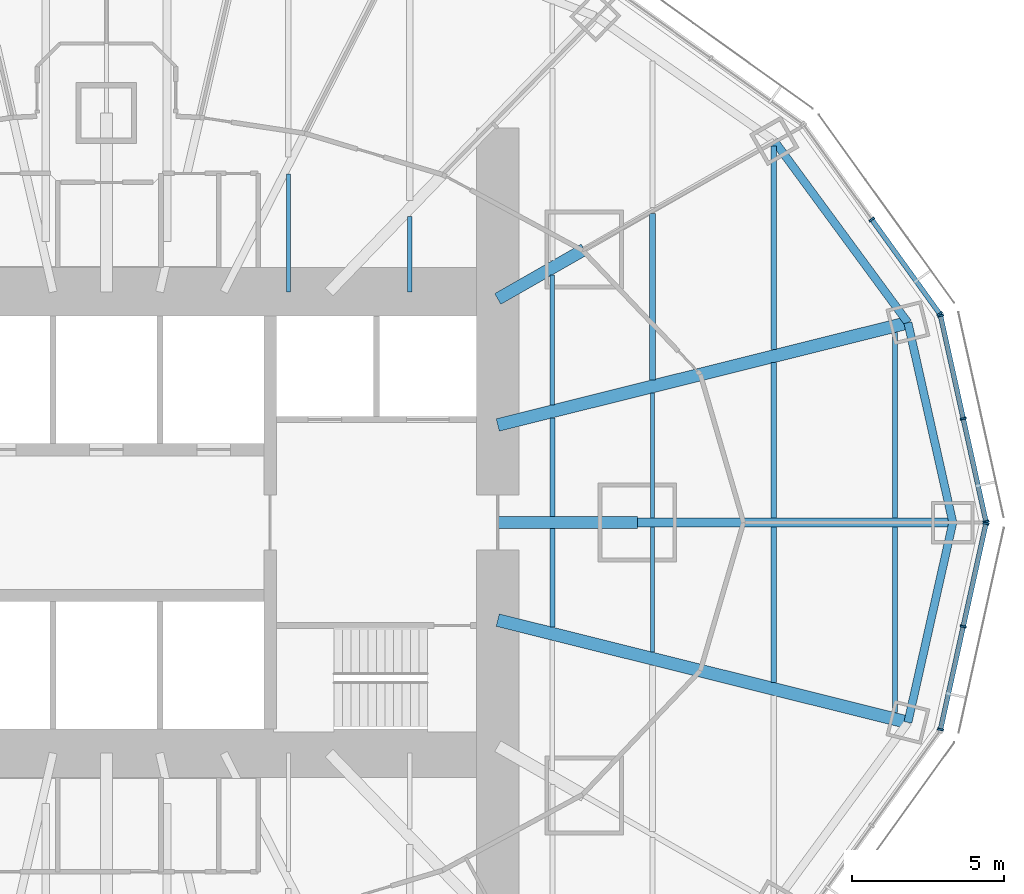
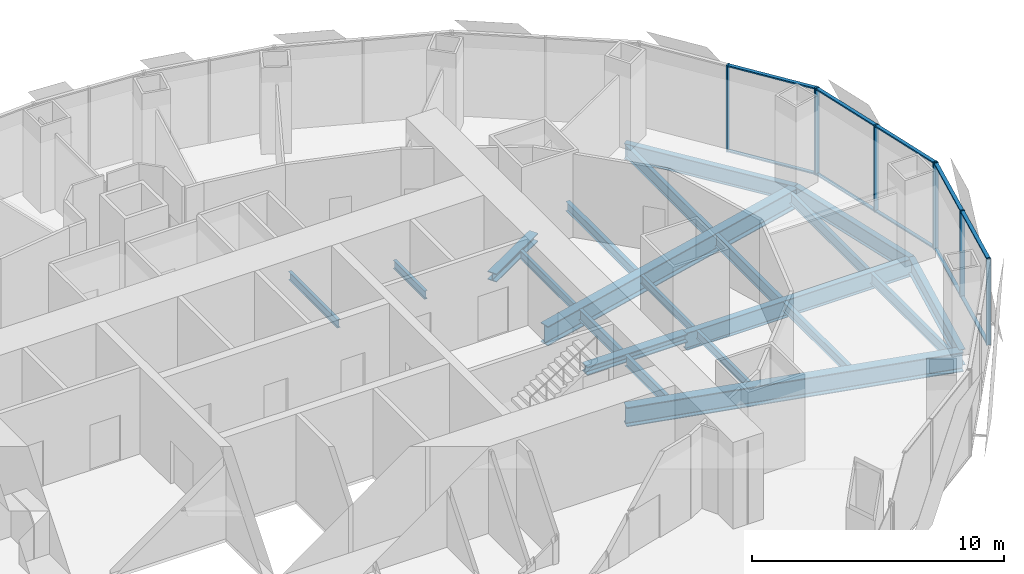
# One storey, part 6 of 18: 21 beams, 18 members, 3 elements without a shape of their own.
"""IFC4 building model written with IfcOpenShell, lengths in metres."""

from ifc_helpers import new_model, si_unit, direction, frame, origin, origin_2d, place, context, subcontext, project, spatial, rectangle, i_section, extrude, material, material_profile, profile_set, type_object, element, aggregate, save


model = new_model("IFC4")

# Units and contexts
model_context = context("Model", 3, precision=1e-05, world=origin(), true_north=direction((0.0, 1.0)))
body_context = subcontext(model_context, "Body", "Model", "MODEL_VIEW")
ifc_project = project(units=[si_unit("LENGTHUNIT", "METRE"), si_unit("AREAUNIT", "SQUARE_METRE"), si_unit("VOLUMEUNIT", "CUBIC_METRE"), si_unit("PLANEANGLEUNIT", "RADIAN"), si_unit("MASSUNIT", "GRAM", prefix="KILO")], contexts=[model_context])

# Site, building, storey
site_placement = place(None, origin())
site = spatial("IfcSite", under=ifc_project, at=site_placement, CompositionType="ELEMENT")
building_placement = place(site_placement, origin())
building = spatial("IfcBuilding", under=site, at=building_placement, Name="Lantaw Convention Tower", CompositionType="ELEMENT")
storey_placement = place(building_placement, frame((0.0, 0.0, 180.39990234375)))
storey = spatial("IfcBuildingStorey", under=building, at=storey_placement, Name="L42", CompositionType="ELEMENT", Elevation=180.39990234375)

# Beams
ifc_material_1 = material(Name="Steel ASTM A992", Category="steel")
ifc_material_profile_1 = material_profile(ifc_material_1, i_section(OverallWidth=0.2666015625, OverallDepth=0.76953125, WebThickness=0.015625, FlangeThickness=0.025390625, FilletRadius=0.0126953125, at=origin_2d()), Name="W30X132")
ifc_profile_set_1 = profile_set([ifc_material_profile_1], Name="Steel ASTM A992")
beam_type_1 = type_object("IfcBeamType", Name="Beam E W30X132", PredefinedType="SPANDREL", material=ifc_profile_set_1)
beam_1_placement = place(storey_placement, frame((27.89990234375, 0.0, -0.53466796875), z_axis=(-0.219211877447, 0.975677279015, 0.0), x_axis=(-0.975677279015, -0.219211877447, 0.0)))
element("IfcBeam", 1, at=beam_1_placement, inside=storey, type_object=beam_type_1, Name="Edge beam 1", PredefinedType="SPANDREL", context=body_context, shape_type="SweptSolid", body=[
    extrude(i_section(OverallWidth=0.2666015625, OverallDepth=0.76953125, WebThickness=0.015625, FlangeThickness=0.025390625, FilletRadius=0.0126953125, at=origin_2d()), origin(), (0.0, 0.0, 1.0), 6.75146484375),
])
beam_2_placement = place(storey_placement, frame((26.419921875, 6.587158203125, -0.53466796875), z_axis=(-0.5923891972, 0.805651934176, 0.0), x_axis=(-0.805651934176, -0.5923891972, 0.0)))
element("IfcBeam", 2, at=beam_2_placement, inside=storey, type_object=beam_type_1, Name="Edge beam 2", PredefinedType="SPANDREL", context=body_context, shape_type="SweptSolid", body=[
    extrude(i_section(OverallWidth=0.2666015625, OverallDepth=0.76953125, WebThickness=0.015625, FlangeThickness=0.025390625, FilletRadius=0.0126953125, at=origin_2d()), origin(), (0.0, 0.0, 1.0), 7.437744140625),
])
beam_3_placement = place(storey_placement, frame((26.419921875, -6.587158203125, -0.53466796875), z_axis=(0.219211877447, 0.975677279015, 0.0), x_axis=(-0.975677279015, 0.219211877447, 0.0)))
element("IfcBeam", 3, at=beam_3_placement, inside=storey, type_object=beam_type_1, Name="Edge beam 24", PredefinedType="SPANDREL", context=body_context, shape_type="SweptSolid", body=[
    extrude(i_section(OverallWidth=0.2666015625, OverallDepth=0.76953125, WebThickness=0.015625, FlangeThickness=0.025390625, FilletRadius=0.0126953125, at=origin_2d()), origin(), (0.0, 0.0, 1.0), 6.75146484375),
])
ifc_material_profile_2 = material_profile(ifc_material_1, i_section(OverallWidth=0.2919921875, OverallDepth=0.845703125, WebThickness=0.015380859375, FlangeThickness=0.0244140625, FilletRadius=0.01513671875, at=origin_2d()), Name="W33X141")
ifc_profile_set_2 = profile_set([ifc_material_profile_2], Name="Steel ASTM A992")
beam_type_2 = type_object("IfcBeamType", Name="Beam G W33X141", PredefinedType="BEAM", material=ifc_profile_set_2)
beam_4_placement = place(storey_placement, frame((17.5, 0.0, -0.57275390625), z_axis=(1.0, 0.0, 0.0), x_axis=(0.0, 1.0, 0.0)))
element("IfcBeam", 4, at=beam_4_placement, inside=storey, type_object=beam_type_2, Name="Floor girder on ray 1", PredefinedType="BEAM", context=body_context, shape_type="SweptSolid", body=[
    extrude(i_section(OverallWidth=0.2919921875, OverallDepth=0.845703125, WebThickness=0.015380859375, FlangeThickness=0.0244140625, FilletRadius=0.01513671875, at=origin_2d()), origin(), (0.0, 0.0, 1.0), 10.39990234375),
])
ifc_material_profile_3 = material_profile(ifc_material_1, i_section(OverallWidth=0.421630859375, OverallDepth=0.937255859375, WebThickness=0.0224609375, FlangeThickness=0.039794921875, FilletRadius=0.02001953125, at=origin_2d()), Name="W36X282")
ifc_profile_set_3 = profile_set([ifc_material_profile_3], Name="Steel ASTM A992")
beam_type_3 = type_object("IfcBeamType", Name="Beam G W36X282", PredefinedType="BEAM", material=ifc_profile_set_3)
for number, where, z_axis, x_axis, name in (
    (5, (12.89990234375, 3.21630859375, -0.61865234375), (0.970296903132, 0.24191717544, 0.0), (-0.24191717544, 0.970296903132, 0.0), "Floor girder on ray 2"),
    (6, (12.89990234375, -3.21630859375, -0.61865234375), (0.970296903132, -0.24191717544, 0.0), (0.24191717544, 0.970296903132, 0.0), "Floor girder on ray 24"),
):
    element("IfcBeam", number, at=place(storey_placement, frame(where, z_axis=z_axis, x_axis=x_axis)), inside=storey, type_object=beam_type_3, Name=name, PredefinedType="BEAM", context=body_context, shape_type="SweptSolid", body=[
        extrude(i_section(OverallWidth=0.421630859375, OverallDepth=0.937255859375, WebThickness=0.0224609375, FlangeThickness=0.039794921875, FilletRadius=0.02001953125, at=origin_2d()), origin(), (0.0, 0.0, 1.0), 13.933837890625),
    ])
ifc_material_profile_4 = material_profile(ifc_material_1, i_section(OverallWidth=0.40380859375, OverallDepth=0.406494140625, WebThickness=0.027099609375, FlangeThickness=0.043701171875, FilletRadius=0.01513671875, at=origin_2d()), Name="W14X233")
ifc_profile_set_4 = profile_set([ifc_material_profile_4], Name="Steel ASTM A992")
beam_type_4 = type_object("IfcBeamType", Name="Beam GM W14X233", PredefinedType="BEAM", material=ifc_profile_set_4)
beam_5_placement = place(storey_placement, frame((12.89990234375, 0.0, -0.35302734375), z_axis=(1.0, 0.0, 0.0), x_axis=(0.0, 1.0, 0.0)))
element("IfcBeam", 7, at=beam_5_placement, inside=storey, type_object=beam_type_4, Name="Core link beam on ray 1", PredefinedType="BEAM", context=body_context, shape_type="SweptSolid", body=[
    extrude(i_section(OverallWidth=0.40380859375, OverallDepth=0.406494140625, WebThickness=0.027099609375, FlangeThickness=0.043701171875, FilletRadius=0.01513671875, at=origin_2d()), origin(), (0.0, 0.0, 1.0), 4.60009765625),
])
beam_6_placement = place(storey_placement, frame((12.89990234375, 7.371337890625, -0.35302734375), z_axis=(0.868238565244, 0.496146947811, 0.0), x_axis=(-0.496146947811, 0.868238565244, 0.0)))
element("IfcBeam", 8, at=beam_6_placement, inside=storey, type_object=beam_type_4, Name="Core link beam on ray 3", PredefinedType="BEAM", context=body_context, shape_type="SweptSolid", body=[
    extrude(i_section(OverallWidth=0.40380859375, OverallDepth=0.406494140625, WebThickness=0.027099609375, FlangeThickness=0.043701171875, FilletRadius=0.01513671875, at=origin_2d()), origin(), (0.0, 0.0, 1.0), 3.28271484375),
])
ifc_material_profile_5 = material_profile(ifc_material_1, i_section(OverallWidth=0.140380859375, OverallDepth=0.40380859375, WebThickness=0.007080078125, FlangeThickness=0.01123046875, FilletRadius=0.01025390625, at=origin_2d()), Name="W16X31")
ifc_profile_set_5 = profile_set([ifc_material_profile_5], Name="Steel ASTM A992")
beam_type_5 = type_object("IfcBeamType", Name="Beam J W16X31", PredefinedType="JOIST", material=ifc_profile_set_5)
beam_7_placement = place(storey_placement, frame((6.0, 7.60009765625, -0.351806640625), z_axis=(0.0, 1.0, 0.0), x_axis=(-1.0, 0.0, 0.0)))
element("IfcBeam", 9, at=beam_7_placement, inside=storey, type_object=beam_type_5, Name="Floor joist", PredefinedType="JOIST", context=body_context, shape_type="SweptSolid", body=[
    extrude(i_section(OverallWidth=0.140380859375, OverallDepth=0.40380859375, WebThickness=0.007080078125, FlangeThickness=0.01123046875, FilletRadius=0.01025390625, at=origin_2d()), origin(), (0.0, 0.0, 1.0), 3.895751953125),
])
beam_8_placement = place(storey_placement, frame((10.0, 7.60009765625, -0.351806640625), z_axis=(0.0, 1.0, 0.0), x_axis=(-1.0, 0.0, 0.0)))
element("IfcBeam", 10, at=beam_8_placement, inside=storey, type_object=beam_type_5, Name="Floor joist", PredefinedType="JOIST", context=body_context, shape_type="SweptSolid", body=[
    extrude(i_section(OverallWidth=0.140380859375, OverallDepth=0.40380859375, WebThickness=0.007080078125, FlangeThickness=0.01123046875, FilletRadius=0.01025390625, at=origin_2d()), origin(), (0.0, 0.0, 1.0), 2.49560546875),
])
beam_9_placement = place(storey_placement, frame((14.699951171875, 3.88232421875, -0.351806640625), z_axis=(0.0, 1.0, 0.0), x_axis=(-1.0, 0.0, 0.0)))
element("IfcBeam", 11, at=beam_9_placement, inside=storey, type_object=beam_type_5, Name="Floor joist", PredefinedType="JOIST", context=body_context, shape_type="SweptSolid", body=[
    extrude(i_section(OverallWidth=0.140380859375, OverallDepth=0.40380859375, WebThickness=0.007080078125, FlangeThickness=0.01123046875, FilletRadius=0.01025390625, at=origin_2d()), origin(), (0.0, 0.0, 1.0), 4.28515625),
])
for number, where, z_axis, x_axis, name in (
    (12, (18.0, -4.270751953125, -0.351806640625), (0.0, 1.0, 0.0), (-1.0, 0.0, 0.0), "Floor joist"),
    (13, (18.0, 0.14599609375, -0.351806640625), (0.0, 1.0, 0.0), (-1.0, 0.0, 0.0), "Floor joist"),
):
    element("IfcBeam", number, at=place(storey_placement, frame(where, z_axis=z_axis, x_axis=x_axis)), inside=storey, type_object=beam_type_5, Name=name, PredefinedType="JOIST", context=body_context, shape_type="SweptSolid", body=[
        extrude(i_section(OverallWidth=0.140380859375, OverallDepth=0.40380859375, WebThickness=0.007080078125, FlangeThickness=0.01123046875, FilletRadius=0.01025390625, at=origin_2d()), origin(), (0.0, 0.0, 1.0), 4.124755859375),
    ])
ifc_material_profile_6 = material_profile(ifc_material_1, i_section(OverallWidth=0.1904296875, OverallDepth=0.457275390625, WebThickness=0.009033203125, FlangeThickness=0.014404296875, FilletRadius=0.01025390625, at=origin_2d()), Name="W18X50")
ifc_profile_set_6 = profile_set([ifc_material_profile_6], Name="Steel ASTM A992")
beam_type_6 = type_object("IfcBeamType", Name="Beam J W18X50", PredefinedType="JOIST", material=ifc_profile_set_6)
beam_10_placement = place(storey_placement, frame((18.0, 4.705078125, -0.37841796875), z_axis=(0.0, 1.0, 0.0), x_axis=(-1.0, 0.0, 0.0)))
element("IfcBeam", 14, at=beam_10_placement, inside=storey, type_object=beam_type_6, Name="Floor joist", PredefinedType="JOIST", context=body_context, shape_type="SweptSolid", body=[
    extrude(i_section(OverallWidth=0.1904296875, OverallDepth=0.457275390625, WebThickness=0.009033203125, FlangeThickness=0.014404296875, FilletRadius=0.01025390625, at=origin_2d()), origin(), (0.0, 0.0, 1.0), 5.47802734375),
])
beam_11_placement = place(storey_placement, frame((22.0, -5.267822265625, -0.37841796875), z_axis=(0.0, 1.0, 0.0), x_axis=(-1.0, 0.0, 0.0)))
element("IfcBeam", 15, at=beam_11_placement, inside=storey, type_object=beam_type_6, Name="Floor joist", PredefinedType="JOIST", context=body_context, shape_type="SweptSolid", body=[
    extrude(i_section(OverallWidth=0.1904296875, OverallDepth=0.457275390625, WebThickness=0.009033203125, FlangeThickness=0.014404296875, FilletRadius=0.01025390625, at=origin_2d()), origin(), (0.0, 0.0, 1.0), 5.121826171875),
])
ifc_material_profile_7 = material_profile(ifc_material_1, i_section(OverallWidth=0.1650390625, OverallDepth=0.52587890625, WebThickness=0.0087890625, FlangeThickness=0.011474609375, FilletRadius=0.0126953125, at=origin_2d()), Name="W21X44")
ifc_profile_set_7 = profile_set([ifc_material_profile_7], Name="Steel ASTM A992")
beam_type_7 = type_object("IfcBeamType", Name="Beam J W21X44", PredefinedType="JOIST", material=ifc_profile_set_7)
for number, where, z_axis, x_axis, name in (
    (16, (26.0, -6.26513671875, -0.412841796875), (0.0, 1.0, 0.0), (-1.0, 0.0, 0.0), "Floor joist"),
    (17, (26.0, 0.14599609375, -0.412841796875), (0.0, 1.0, 0.0), (-1.0, 0.0, 0.0), "Floor joist"),
):
    element("IfcBeam", number, at=place(storey_placement, frame(where, z_axis=z_axis, x_axis=x_axis)), inside=storey, type_object=beam_type_7, Name=name, PredefinedType="JOIST", context=body_context, shape_type="SweptSolid", body=[
        extrude(i_section(OverallWidth=0.1650390625, OverallDepth=0.52587890625, WebThickness=0.0087890625, FlangeThickness=0.011474609375, FilletRadius=0.0126953125, at=origin_2d()), origin(), (0.0, 0.0, 1.0), 6.119140625),
    ])
ifc_material_profile_8 = material_profile(ifc_material_1, i_section(OverallWidth=0.165771484375, OverallDepth=0.5283203125, WebThickness=0.009765625, FlangeThickness=0.013671875, FilletRadius=0.012939453125, at=origin_2d()), Name="W21X50")
ifc_profile_set_8 = profile_set([ifc_material_profile_8], Name="Steel ASTM A992")
beam_type_8 = type_object("IfcBeamType", Name="Beam J W21X50", PredefinedType="JOIST", material=ifc_profile_set_8)
for number, where, z_axis, x_axis, name in (
    (18, (14.699951171875, -3.44775390625, -0.4140625), (0.0, 1.0, 0.0), (-1.0, 0.0, 0.0), "Floor joist"),
    (19, (14.699951171875, 0.201904296875, -0.4140625), (0.0, 1.0, 0.0), (-1.0, 0.0, 0.0), "Floor joist"),
):
    element("IfcBeam", number, at=place(storey_placement, frame(where, z_axis=z_axis, x_axis=x_axis)), inside=storey, type_object=beam_type_8, Name=name, PredefinedType="JOIST", context=body_context, shape_type="SweptSolid", body=[
        extrude(i_section(OverallWidth=0.165771484375, OverallDepth=0.5283203125, WebThickness=0.009765625, FlangeThickness=0.013671875, FilletRadius=0.012939453125, at=origin_2d()), origin(), (0.0, 0.0, 1.0), 3.245849609375),
    ])
ifc_material_profile_9 = material_profile(ifc_material_1, i_section(OverallWidth=0.177978515625, OverallDepth=0.599365234375, WebThickness=0.010009765625, FlangeThickness=0.012939453125, FilletRadius=0.012939453125, at=origin_2d()), Name="W24X55")
ifc_profile_set_9 = profile_set([ifc_material_profile_9], Name="Steel ASTM A992")
beam_type_9 = type_object("IfcBeamType", Name="Beam J W24X55", PredefinedType="JOIST", material=ifc_profile_set_9)
beam_12_placement = place(storey_placement, frame((22.0, 0.14599609375, -0.44970703125), z_axis=(0.0, 1.0, 0.0), x_axis=(-1.0, 0.0, 0.0)))
element("IfcBeam", 20, at=beam_12_placement, inside=storey, type_object=beam_type_9, Name="Floor joist", PredefinedType="JOIST", context=body_context, shape_type="SweptSolid", body=[
    extrude(i_section(OverallWidth=0.177978515625, OverallDepth=0.599365234375, WebThickness=0.010009765625, FlangeThickness=0.012939453125, FilletRadius=0.012939453125, at=origin_2d()), origin(), (0.0, 0.0, 1.0), 5.121826171875),
])
beam_13_placement = place(storey_placement, frame((22.0, 5.702392578125, -0.44970703125), z_axis=(0.0, 1.0, 0.0), x_axis=(-1.0, 0.0, 0.0)))
element("IfcBeam", 21, at=beam_13_placement, inside=storey, type_object=beam_type_9, Name="Floor joist", PredefinedType="JOIST", context=body_context, shape_type="SweptSolid", body=[
    extrude(i_section(OverallWidth=0.177978515625, OverallDepth=0.599365234375, WebThickness=0.010009765625, FlangeThickness=0.012939453125, FilletRadius=0.012939453125, at=origin_2d()), origin(), (0.0, 0.0, 1.0), 6.70654296875),
])

# Curtain wall, members
ifc_material_2 = material(Name="Aluminium framed curtain wall", Category="aluminium")
curtain_wall_type = type_object("IfcCurtainWallType", Name="Office curtain wall low rise, pale aluminium", PredefinedType="USERDEFINED", material=ifc_material_2)
curtain_wall_1_placement = place(storey_placement, origin())
curtain_wall_1 = element("IfcCurtainWall", 22, at=curtain_wall_1_placement, inside=storey, type_object=curtain_wall_type, Name="Office curtain wall low rise, pale aluminium L42", ObjectType="UNITISED CURTAIN WALL", PredefinedType="USERDEFINED")
ifc_material_3 = material(Name="Aluminium 6063-T6", Category="aluminium")
ifc_material_profile_10 = material_profile(ifc_material_3, rectangle(XDim=0.199951171875, YDim=0.06494140625, at=origin_2d()), Name="CW-O1 mullion 65x200")
ifc_profile_set_10 = profile_set([ifc_material_profile_10], Name="Aluminium 6063-T6")
member_type_1 = type_object("IfcMemberType", Name="CW-O1 mullion 65x200", PredefinedType="MULLION", material=ifc_profile_set_10)
member_1_placement = place(storey_placement, frame((28.992919921875, 0.03173828125, -0.14990234375), z_axis=(0.0, 0.0, 1.0), x_axis=(-0.9764936509, -0.215546166174, 0.0)))
member_1 = element("IfcMember", 23, at=member_1_placement, type_object=member_type_1, Name="CW-O1 mullion 1", PredefinedType="MULLION", context=body_context, shape_type="SweptSolid", body=[
    extrude(rectangle(XDim=0.199951171875, YDim=0.06494140625, at=origin_2d()), origin(), (0.0, 0.0, 1.0), 4.199951171875),
])
member_2_placement = place(storey_placement, frame((28.24365234375, 3.4267578125, -0.14990234375), z_axis=(0.0, 0.0, 1.0), x_axis=(-0.9764936509, -0.215546166174, 0.0)))
member_2 = element("IfcMember", 24, at=member_2_placement, type_object=member_type_1, Name="CW-O1 mullion 2", PredefinedType="MULLION", context=body_context, shape_type="SweptSolid", body=[
    extrude(rectangle(XDim=0.199951171875, YDim=0.06494140625, at=origin_2d()), origin(), (0.0, 0.0, 1.0), 4.199951171875),
])
member_3_placement = place(storey_placement, frame((27.494140625, 6.821533203125, -0.14990234375), z_axis=(0.0, 0.0, 1.0), x_axis=(-0.9764936509, -0.215546166174, 0.0)))
member_3 = element("IfcMember", 25, at=member_3_placement, type_object=member_type_1, Name="CW-O1 mullion 3", PredefinedType="MULLION", context=body_context, shape_type="SweptSolid", body=[
    extrude(rectangle(XDim=0.199951171875, YDim=0.06494140625, at=origin_2d()), origin(), (0.0, 0.0, 1.0), 4.199951171875),
])

curtain_wall_2_placement = place(storey_placement, origin())
curtain_wall_2 = element("IfcCurtainWall", 26, at=curtain_wall_2_placement, inside=storey, type_object=curtain_wall_type, Name="Office curtain wall low rise, pale aluminium L42", ObjectType="UNITISED CURTAIN WALL", PredefinedType="USERDEFINED")
member_4_placement = place(storey_placement, frame((27.46826171875, 6.879638671875, -0.14990234375), z_axis=(0.0, 0.0, 1.0), x_axis=(-0.811384633629, -0.584512597221, 0.0)))
member_4 = element("IfcMember", 27, at=member_4_placement, type_object=member_type_1, Name="CW-O1 mullion 1", PredefinedType="MULLION", context=body_context, shape_type="SweptSolid", body=[
    extrude(rectangle(XDim=0.199951171875, YDim=0.06494140625, at=origin_2d()), origin(), (0.0, 0.0, 1.0), 4.199951171875),
])
member_5_placement = place(storey_placement, frame((25.22802734375, 9.9892578125, -0.14990234375), z_axis=(0.0, 0.0, 1.0), x_axis=(-0.811384633629, -0.584512597221, 0.0)))
member_5 = element("IfcMember", 28, at=member_5_placement, type_object=member_type_1, Name="CW-O1 mullion 2", PredefinedType="MULLION", context=body_context, shape_type="SweptSolid", body=[
    extrude(rectangle(XDim=0.199951171875, YDim=0.06494140625, at=origin_2d()), origin(), (0.0, 0.0, 1.0), 4.199951171875),
])

curtain_wall_3_placement = place(storey_placement, origin())
curtain_wall_3 = element("IfcCurtainWall", 29, at=curtain_wall_3_placement, inside=storey, type_object=curtain_wall_type, Name="Office curtain wall low rise, pale aluminium L42", ObjectType="UNITISED CURTAIN WALL", PredefinedType="USERDEFINED")
member_6_placement = place(storey_placement, frame((27.494140625, -6.821533203125, -0.14990234375), z_axis=(0.0, 0.0, 1.0), x_axis=(-0.9764936509, 0.215546166174, 0.0)))
member_6 = element("IfcMember", 30, at=member_6_placement, type_object=member_type_1, Name="CW-O1 mullion 1", PredefinedType="MULLION", context=body_context, shape_type="SweptSolid", body=[
    extrude(rectangle(XDim=0.199951171875, YDim=0.06494140625, at=origin_2d()), origin(), (0.0, 0.0, 1.0), 4.199951171875),
])
member_7_placement = place(storey_placement, frame((28.24365234375, -3.4267578125, -0.14990234375), z_axis=(0.0, 0.0, 1.0), x_axis=(-0.9764936509, 0.215546166174, 0.0)))
member_7 = element("IfcMember", 31, at=member_7_placement, type_object=member_type_1, Name="CW-O1 mullion 2", PredefinedType="MULLION", context=body_context, shape_type="SweptSolid", body=[
    extrude(rectangle(XDim=0.199951171875, YDim=0.06494140625, at=origin_2d()), origin(), (0.0, 0.0, 1.0), 4.199951171875),
])
member_8_placement = place(storey_placement, frame((28.992919921875, -0.03173828125, -0.14990234375), z_axis=(0.0, 0.0, 1.0), x_axis=(-0.9764936509, 0.215546166174, 0.0)))
member_8 = element("IfcMember", 32, at=member_8_placement, type_object=member_type_1, Name="CW-O1 mullion 3", PredefinedType="MULLION", context=body_context, shape_type="SweptSolid", body=[
    extrude(rectangle(XDim=0.199951171875, YDim=0.06494140625, at=origin_2d()), origin(), (0.0, 0.0, 1.0), 4.199951171875),
])

# Member
ifc_material_profile_11 = material_profile(ifc_material_3, rectangle(XDim=0.159912109375, YDim=0.06494140625, at=origin_2d()), Name="CW-O1 transom 65x160")
ifc_profile_set_11 = profile_set([ifc_material_profile_11], Name="Aluminium 6063-T6")
member_type_2 = type_object("IfcMemberType", Name="CW-O1 transom 65x160", PredefinedType="USERDEFINED", material=ifc_profile_set_11)
member_9_placement = place(storey_placement, frame((28.986083984375, 0.0634765625, -0.117431640625), z_axis=(-0.215536096386, 0.976495873598, 0.0), x_axis=(-0.976495873598, -0.215536096386, 0.0)))
member_9 = element("IfcMember", 33, at=member_9_placement, type_object=member_type_2, Name="CW-O1 transom 1.1", ObjectType="TRANSOM", PredefinedType="USERDEFINED", context=body_context, shape_type="SweptSolid", body=[
    extrude(rectangle(XDim=0.159912109375, YDim=0.06494140625, at=origin_2d()), origin(), (0.0, 0.0, 1.0), 3.41162109375),
])

member_10_placement = place(storey_placement, frame((28.986083984375, 0.0634765625, 4.017578125), z_axis=(-0.215536096386, 0.976495873598, 0.0), x_axis=(-0.976495873598, -0.215536096386, 0.0)))
member_10 = element("IfcMember", 34, at=member_10_placement, type_object=member_type_2, Name="CW-O1 transom 1.2", ObjectType="TRANSOM", PredefinedType="USERDEFINED", context=body_context, shape_type="SweptSolid", body=[
    extrude(rectangle(XDim=0.159912109375, YDim=0.06494140625, at=origin_2d()), origin(), (0.0, 0.0, 1.0), 3.41162109375),
])

member_11_placement = place(storey_placement, frame((28.236572265625, 3.45849609375, -0.117431640625), z_axis=(-0.21555115847, 0.976492548913, 0.0), x_axis=(-0.976492548913, -0.21555115847, 0.0)))
member_11 = element("IfcMember", 35, at=member_11_placement, type_object=member_type_2, Name="CW-O1 transom 2.1", ObjectType="TRANSOM", PredefinedType="USERDEFINED", context=body_context, shape_type="SweptSolid", body=[
    extrude(rectangle(XDim=0.159912109375, YDim=0.06494140625, at=origin_2d()), origin(), (0.0, 0.0, 1.0), 3.411376953125),
])

member_12_placement = place(storey_placement, frame((28.236572265625, 3.45849609375, 4.017578125), z_axis=(-0.21555115847, 0.976492548913, 0.0), x_axis=(-0.976492548913, -0.21555115847, 0.0)))
member_12 = element("IfcMember", 36, at=member_12_placement, type_object=member_type_2, Name="CW-O1 transom 2.2", ObjectType="TRANSOM", PredefinedType="USERDEFINED", context=body_context, shape_type="SweptSolid", body=[
    extrude(rectangle(XDim=0.159912109375, YDim=0.06494140625, at=origin_2d()), origin(), (0.0, 0.0, 1.0), 3.411376953125),
])

aggregate(curtain_wall_1, [member_1, member_2, member_3, member_9, member_10, member_11, member_12])

member_13_placement = place(storey_placement, frame((27.44921875, 6.906005859375, -0.117431640625), z_axis=(-0.584512973979, 0.811384362217, 0.0), x_axis=(-0.811384362217, -0.584512973979, 0.0)))
member_13 = element("IfcMember", 37, at=member_13_placement, type_object=member_type_2, Name="CW-O1 transom 1.1", ObjectType="TRANSOM", PredefinedType="USERDEFINED", context=body_context, shape_type="SweptSolid", body=[
    extrude(rectangle(XDim=0.159912109375, YDim=0.06494140625, at=origin_2d()), origin(), (0.0, 0.0, 1.0), 3.767578125),
])

member_14_placement = place(storey_placement, frame((27.44921875, 6.906005859375, 4.017578125), z_axis=(-0.584512973979, 0.811384362217, 0.0), x_axis=(-0.811384362217, -0.584512973979, 0.0)))
member_14 = element("IfcMember", 38, at=member_14_placement, type_object=member_type_2, Name="CW-O1 transom 1.2", ObjectType="TRANSOM", PredefinedType="USERDEFINED", context=body_context, shape_type="SweptSolid", body=[
    extrude(rectangle(XDim=0.159912109375, YDim=0.06494140625, at=origin_2d()), origin(), (0.0, 0.0, 1.0), 3.767578125),
])

aggregate(curtain_wall_2, [member_4, member_5, member_13, member_14])

member_15_placement = place(storey_placement, frame((27.501220703125, -6.789794921875, -0.117431640625), z_axis=(0.21555115847, 0.976492548913, 0.0), x_axis=(-0.976492548913, 0.21555115847, 0.0)))
member_15 = element("IfcMember", 39, at=member_15_placement, type_object=member_type_2, Name="CW-O1 transom 1.1", ObjectType="TRANSOM", PredefinedType="USERDEFINED", context=body_context, shape_type="SweptSolid", body=[
    extrude(rectangle(XDim=0.159912109375, YDim=0.06494140625, at=origin_2d()), origin(), (0.0, 0.0, 1.0), 3.411376953125),
])

member_16_placement = place(storey_placement, frame((27.501220703125, -6.789794921875, 4.017578125), z_axis=(0.21555115847, 0.976492548913, 0.0), x_axis=(-0.976492548913, 0.21555115847, 0.0)))
member_16 = element("IfcMember", 40, at=member_16_placement, type_object=member_type_2, Name="CW-O1 transom 1.2", ObjectType="TRANSOM", PredefinedType="USERDEFINED", context=body_context, shape_type="SweptSolid", body=[
    extrude(rectangle(XDim=0.159912109375, YDim=0.06494140625, at=origin_2d()), origin(), (0.0, 0.0, 1.0), 3.411376953125),
])

member_17_placement = place(storey_placement, frame((28.250732421875, -3.39501953125, -0.117431640625), z_axis=(0.215536096386, 0.976495873598, 0.0), x_axis=(-0.976495873598, 0.215536096386, 0.0)))
member_17 = element("IfcMember", 41, at=member_17_placement, type_object=member_type_2, Name="CW-O1 transom 2.1", ObjectType="TRANSOM", PredefinedType="USERDEFINED", context=body_context, shape_type="SweptSolid", body=[
    extrude(rectangle(XDim=0.159912109375, YDim=0.06494140625, at=origin_2d()), origin(), (0.0, 0.0, 1.0), 3.41162109375),
])

member_18_placement = place(storey_placement, frame((28.250732421875, -3.39501953125, 4.017578125), z_axis=(0.215536096386, 0.976495873598, 0.0), x_axis=(-0.976495873598, 0.215536096386, 0.0)))
member_18 = element("IfcMember", 42, at=member_18_placement, type_object=member_type_2, Name="CW-O1 transom 2.2", ObjectType="TRANSOM", PredefinedType="USERDEFINED", context=body_context, shape_type="SweptSolid", body=[
    extrude(rectangle(XDim=0.159912109375, YDim=0.06494140625, at=origin_2d()), origin(), (0.0, 0.0, 1.0), 3.41162109375),
])

aggregate(curtain_wall_3, [member_6, member_7, member_8, member_15, member_16, member_17, member_18])

save(model, "model.ifc")
